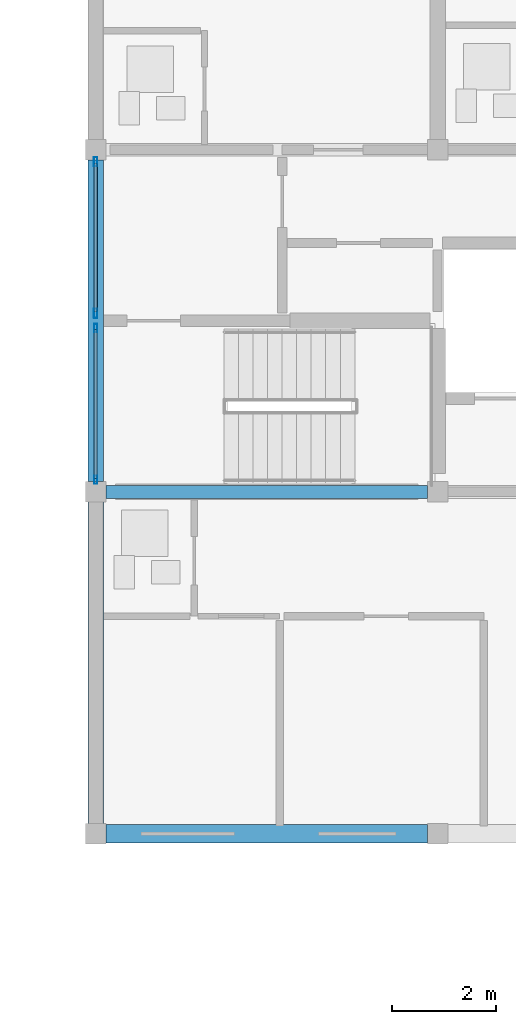
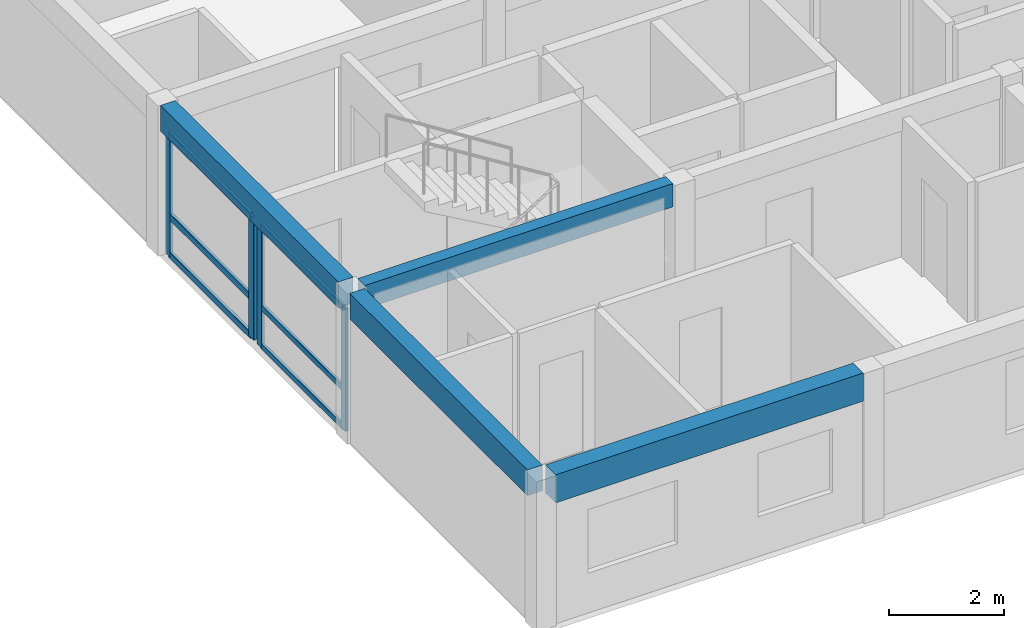
# One storey, part 12 of 34: 10 members, 4 beams, 2 elements without a shape of their own.
"""IFC4 building model written with IfcOpenShell, lengths in metres."""

from ifc_helpers import new_model, si_unit, direction, frame, origin, origin_2d, place, context, subcontext, project, spatial, rectangle, hollow_rectangle, extrude, material, material_profile, profile_set, type_object, element, aggregate, save


model = new_model("IFC4")

# Units and contexts
model_context = context("Model", 3, precision=1e-05, world=origin(), true_north=direction((0.0, 1.0)))
body_context = subcontext(model_context, "Body", "Model", "MODEL_VIEW")
ifc_project = project(units=[si_unit("LENGTHUNIT", "METRE"), si_unit("AREAUNIT", "SQUARE_METRE"), si_unit("VOLUMEUNIT", "CUBIC_METRE"), si_unit("PLANEANGLEUNIT", "RADIAN"), si_unit("MASSUNIT", "GRAM", prefix="KILO")], contexts=[model_context])

# Site, building, storey
site_placement = place(None, origin())
site = spatial("IfcSite", under=ifc_project, at=site_placement, CompositionType="ELEMENT")
building_placement = place(site_placement, origin())
building = spatial("IfcBuilding", under=site, at=building_placement, Name="Kernevlak Ridge Housing Community", CompositionType="ELEMENT")
storey_placement = place(building_placement, frame((0.0, 0.0, 34.0)))
storey = spatial("IfcBuildingStorey", under=building, at=storey_placement, Name="L10", CompositionType="ELEMENT", Elevation=34.0)

# Beam
ifc_material_1 = material(Name="Concrete C35/45", Category="concrete")
ifc_material_profile_1 = material_profile(ifc_material_1, rectangle(XDim=0.25, YDim=0.5, at=origin_2d()), Name="RC 250x500")
ifc_profile_set_1 = profile_set([ifc_material_profile_1], Name="Concrete C35/45")
beam_type_1 = type_object("IfcBeamType", Name="B-06", PredefinedType="T_BEAM", material=ifc_profile_set_1)
beam_1_placement = place(storey_placement, frame((119.60009765625, 89.199951171875, 2.949951171875), z_axis=(1.0, 0.0, 0.0), x_axis=(0.0, 1.0, 0.0)))
element("IfcBeam", 1, at=beam_1_placement, inside=storey, type_object=beam_type_1, Name="Beam B-06 L10 842", PredefinedType="T_BEAM", context=body_context, shape_type="SweptSolid", body=[
    extrude(rectangle(XDim=0.25, YDim=0.5, at=origin_2d()), origin(), (0.0, 0.0, 1.0), 6.199951171875),
])

# Curtain wall, members
ifc_material_2 = material(Name="Aluminium EN AW-6060 anodised and laminated glass", Category="aluminium")
curtain_wall_type_1 = type_object("IfcCurtainWallType", Name="CW-04", PredefinedType="NOTDEFINED", material=ifc_material_2)
curtain_wall_1_placement = place(storey_placement, origin())
curtain_wall_1 = element("IfcCurtainWall", 2, at=curtain_wall_1_placement, inside=storey, type_object=curtain_wall_type_1, Name="Curtain wall CW-04 CW-L10-085", PredefinedType="NOTDEFINED")
ifc_material_3 = material(Name="Aluminium EN AW-6060 anodised", Category="aluminium")
ifc_material_profile_2 = material_profile(ifc_material_3, hollow_rectangle(XDim=0.06005859375, YDim=0.159912109375, WallThickness=0.00390625, InnerFilletRadius=0.001953125, OuterFilletRadius=0.00390625, at=origin_2d()), Name="ALU 60x160x4")
ifc_profile_set_2 = profile_set([ifc_material_profile_2], Name="Aluminium EN AW-6060 anodised")
member_type_1 = type_object("IfcMemberType", Name="MU-02", PredefinedType="MULLION", material=ifc_profile_set_2)
member_1_placement = place(storey_placement, frame((119.39990234375, 89.429931640625, 0.0), z_axis=(0.0, 0.0, 1.0), x_axis=(-1.0, 0.0, 0.0)))
member_1 = element("IfcMember", 3, at=member_1_placement, type_object=member_type_1, Name="CW-04 mullion 1", PredefinedType="MULLION", context=body_context, shape_type="SweptSolid", body=[
    extrude(hollow_rectangle(XDim=0.06005859375, YDim=0.159912109375, WallThickness=0.00390625, InnerFilletRadius=0.001953125, OuterFilletRadius=0.00390625, at=origin_2d()), origin(), (0.0, 0.0, 1.0), 2.60009765625),
])
member_2_placement = place(storey_placement, frame((119.39990234375, 92.360107421875, 0.0), z_axis=(0.0, 0.0, 1.0), x_axis=(-1.0, 0.0, 0.0)))
member_2 = element("IfcMember", 4, at=member_2_placement, type_object=member_type_1, Name="CW-04 mullion 2", PredefinedType="MULLION", context=body_context, shape_type="SweptSolid", body=[
    extrude(hollow_rectangle(XDim=0.06005859375, YDim=0.159912109375, WallThickness=0.00390625, InnerFilletRadius=0.001953125, OuterFilletRadius=0.00390625, at=origin_2d()), origin(), (0.0, 0.0, 1.0), 2.60009765625),
])

curtain_wall_type_2 = type_object("IfcCurtainWallType", Name="CW-11", PredefinedType="NOTDEFINED", material=ifc_material_2)
curtain_wall_2_placement = place(storey_placement, origin())
curtain_wall_2 = element("IfcCurtainWall", 5, at=curtain_wall_2_placement, inside=storey, type_object=curtain_wall_type_2, Name="Curtain wall CW-11 CW-L10-086", PredefinedType="NOTDEFINED")
ifc_material_profile_3 = material_profile(ifc_material_3, hollow_rectangle(XDim=0.06494140625, YDim=0.179931640625, WallThickness=0.00439453125, InnerFilletRadius=0.001953125, OuterFilletRadius=0.00439453125, at=origin_2d()), Name="ALU 65x180x4.5")
ifc_profile_set_3 = profile_set([ifc_material_profile_3], Name="Aluminium EN AW-6060 anodised")
member_type_2 = type_object("IfcMemberType", Name="MU-03", PredefinedType="MULLION", material=ifc_profile_set_3)
member_3_placement = place(storey_placement, frame((119.39990234375, 92.642578125, 0.0), z_axis=(0.0, 0.0, 1.0), x_axis=(-1.0, 0.0, 0.0)))
member_3 = element("IfcMember", 6, at=member_3_placement, type_object=member_type_2, Name="CW-11 mullion 1", PredefinedType="MULLION", context=body_context, shape_type="SweptSolid", body=[
    extrude(hollow_rectangle(XDim=0.06494140625, YDim=0.179931640625, WallThickness=0.00439453125, InnerFilletRadius=0.001953125, OuterFilletRadius=0.00439453125, at=origin_2d()), origin(), (0.0, 0.0, 1.0), 2.60009765625),
])
member_4_placement = place(storey_placement, frame((119.39990234375, 95.5673828125, 0.0), z_axis=(0.0, 0.0, 1.0), x_axis=(-1.0, 0.0, 0.0)))
member_4 = element("IfcMember", 7, at=member_4_placement, type_object=member_type_2, Name="CW-11 mullion 2", PredefinedType="MULLION", context=body_context, shape_type="SweptSolid", body=[
    extrude(hollow_rectangle(XDim=0.06494140625, YDim=0.179931640625, WallThickness=0.00439453125, InnerFilletRadius=0.001953125, OuterFilletRadius=0.00439453125, at=origin_2d()), origin(), (0.0, 0.0, 1.0), 2.60009765625),
])

# Beams
ifc_material_profile_4 = material_profile(ifc_material_1, rectangle(XDim=0.300048828125, YDim=0.550048828125, at=origin_2d()), Name="RC 300x550")
ifc_profile_set_4 = profile_set([ifc_material_profile_4], Name="Concrete C35/45")
beam_type_2 = type_object("IfcBeamType", Name="SP-01", PredefinedType="SPANDREL", material=ifc_profile_set_4)
beam_2_placement = place(storey_placement, frame((119.39990234375, 82.800048828125, 2.925048828125), z_axis=(0.0, 1.0, 0.0), x_axis=(-1.0, 0.0, 0.0)))
element("IfcBeam", 8, at=beam_2_placement, inside=storey, type_object=beam_type_2, Name="Beam SP-01 L10 857", PredefinedType="SPANDREL", context=body_context, shape_type="SweptSolid", body=[
    extrude(rectangle(XDim=0.300048828125, YDim=0.550048828125, at=origin_2d()), origin(), (0.0, 0.0, 1.0), 6.199951171875),
])
beam_3_placement = place(storey_placement, frame((119.39990234375, 89.39990234375, 2.925048828125), z_axis=(0.0, 1.0, 0.0), x_axis=(-1.0, 0.0, 0.0)))
element("IfcBeam", 9, at=beam_3_placement, inside=storey, type_object=beam_type_2, Name="Beam SP-01 L10 858", PredefinedType="SPANDREL", context=body_context, shape_type="SweptSolid", body=[
    extrude(rectangle(XDim=0.300048828125, YDim=0.550048828125, at=origin_2d()), origin(), (0.0, 0.0, 1.0), 6.2001953125),
])
ifc_material_profile_5 = material_profile(ifc_material_1, rectangle(XDim=0.35009765625, YDim=0.60009765625, at=origin_2d()), Name="RC 350x600")
ifc_profile_set_5 = profile_set([ifc_material_profile_5], Name="Concrete C35/45")
beam_type_3 = type_object("IfcBeamType", Name="SP-03", PredefinedType="SPANDREL", material=ifc_profile_set_5)
beam_4_placement = place(storey_placement, frame((119.60009765625, 82.60009765625, 2.89990234375), z_axis=(1.0, 0.0, 0.0), x_axis=(0.0, 1.0, 0.0)))
element("IfcBeam", 10, at=beam_4_placement, inside=storey, type_object=beam_type_3, Name="Beam SP-03 L10 837", PredefinedType="SPANDREL", context=body_context, shape_type="SweptSolid", body=[
    extrude(rectangle(XDim=0.35009765625, YDim=0.60009765625, at=origin_2d()), origin(), (0.0, 0.0, 1.0), 6.199951171875),
])

# Member
ifc_material_profile_6 = material_profile(ifc_material_3, hollow_rectangle(XDim=0.06005859375, YDim=0.1201171875, WallThickness=0.00390625, InnerFilletRadius=0.001953125, OuterFilletRadius=0.00390625, at=origin_2d()), Name="ALU 60x120x4")
ifc_profile_set_6 = profile_set([ifc_material_profile_6], Name="Aluminium EN AW-6060 anodised")
member_type_3 = type_object("IfcMemberType", Name="TM-02", PredefinedType="USERDEFINED", material=ifc_profile_set_6)
member_5_placement = place(storey_placement, frame((119.39990234375, 89.4599609375, 0.030029296875), z_axis=(0.0, 1.0, 0.0), x_axis=(-1.0, 0.0, 0.0)))
member_5 = element("IfcMember", 11, at=member_5_placement, type_object=member_type_3, Name="CW-04 transom 1.1", ObjectType="TRANSOM", PredefinedType="USERDEFINED", context=body_context, shape_type="SweptSolid", body=[
    extrude(hollow_rectangle(XDim=0.06005859375, YDim=0.1201171875, WallThickness=0.00390625, InnerFilletRadius=0.001953125, OuterFilletRadius=0.00390625, at=origin_2d()), origin(), (0.0, 0.0, 1.0), 2.8701171875),
])

member_6_placement = place(storey_placement, frame((119.39990234375, 89.4599609375, 0.85009765625), z_axis=(0.0, 1.0, 0.0), x_axis=(-1.0, 0.0, 0.0)))
member_6 = element("IfcMember", 12, at=member_6_placement, type_object=member_type_3, Name="CW-04 transom 1.2", ObjectType="TRANSOM", PredefinedType="USERDEFINED", context=body_context, shape_type="SweptSolid", body=[
    extrude(hollow_rectangle(XDim=0.06005859375, YDim=0.1201171875, WallThickness=0.00390625, InnerFilletRadius=0.001953125, OuterFilletRadius=0.00390625, at=origin_2d()), origin(), (0.0, 0.0, 1.0), 2.8701171875),
])

member_7_placement = place(storey_placement, frame((119.39990234375, 89.4599609375, 2.570068359375), z_axis=(0.0, 1.0, 0.0), x_axis=(-1.0, 0.0, 0.0)))
member_7 = element("IfcMember", 13, at=member_7_placement, type_object=member_type_3, Name="CW-04 transom 1.3", ObjectType="TRANSOM", PredefinedType="USERDEFINED", context=body_context, shape_type="SweptSolid", body=[
    extrude(hollow_rectangle(XDim=0.06005859375, YDim=0.1201171875, WallThickness=0.00390625, InnerFilletRadius=0.001953125, OuterFilletRadius=0.00390625, at=origin_2d()), origin(), (0.0, 0.0, 1.0), 2.8701171875),
])

aggregate(curtain_wall_1, [member_1, member_2, member_5, member_6, member_7])

ifc_material_profile_7 = material_profile(ifc_material_3, hollow_rectangle(XDim=0.06494140625, YDim=0.139892578125, WallThickness=0.00390625, InnerFilletRadius=0.001953125, OuterFilletRadius=0.00390625, at=origin_2d()), Name="ALU 65x140x4")
ifc_profile_set_7 = profile_set([ifc_material_profile_7], Name="Aluminium EN AW-6060 anodised")
member_type_4 = type_object("IfcMemberType", Name="TM-03", PredefinedType="USERDEFINED", material=ifc_profile_set_7)
member_8_placement = place(storey_placement, frame((119.39990234375, 92.675048828125, 0.032470703125), z_axis=(0.0, 1.0, 0.0), x_axis=(-1.0, 0.0, 0.0)))
member_8 = element("IfcMember", 14, at=member_8_placement, type_object=member_type_4, Name="CW-11 transom 1.1", ObjectType="TRANSOM", PredefinedType="USERDEFINED", context=body_context, shape_type="SweptSolid", body=[
    extrude(hollow_rectangle(XDim=0.06494140625, YDim=0.139892578125, WallThickness=0.00390625, InnerFilletRadius=0.001953125, OuterFilletRadius=0.00390625, at=origin_2d()), origin(), (0.0, 0.0, 1.0), 2.85986328125),
])

member_9_placement = place(storey_placement, frame((119.39990234375, 92.675048828125, 0.85009765625), z_axis=(0.0, 1.0, 0.0), x_axis=(-1.0, 0.0, 0.0)))
member_9 = element("IfcMember", 15, at=member_9_placement, type_object=member_type_4, Name="CW-11 transom 1.2", ObjectType="TRANSOM", PredefinedType="USERDEFINED", context=body_context, shape_type="SweptSolid", body=[
    extrude(hollow_rectangle(XDim=0.06494140625, YDim=0.139892578125, WallThickness=0.00390625, InnerFilletRadius=0.001953125, OuterFilletRadius=0.00390625, at=origin_2d()), origin(), (0.0, 0.0, 1.0), 2.85986328125),
])

member_10_placement = place(storey_placement, frame((119.39990234375, 92.675048828125, 2.5673828125), z_axis=(0.0, 1.0, 0.0), x_axis=(-1.0, 0.0, 0.0)))
member_10 = element("IfcMember", 16, at=member_10_placement, type_object=member_type_4, Name="CW-11 transom 1.3", ObjectType="TRANSOM", PredefinedType="USERDEFINED", context=body_context, shape_type="SweptSolid", body=[
    extrude(hollow_rectangle(XDim=0.06494140625, YDim=0.139892578125, WallThickness=0.00390625, InnerFilletRadius=0.001953125, OuterFilletRadius=0.00390625, at=origin_2d()), origin(), (0.0, 0.0, 1.0), 2.85986328125),
])

aggregate(curtain_wall_2, [member_3, member_4, member_8, member_9, member_10])

save(model, "model.ifc")
